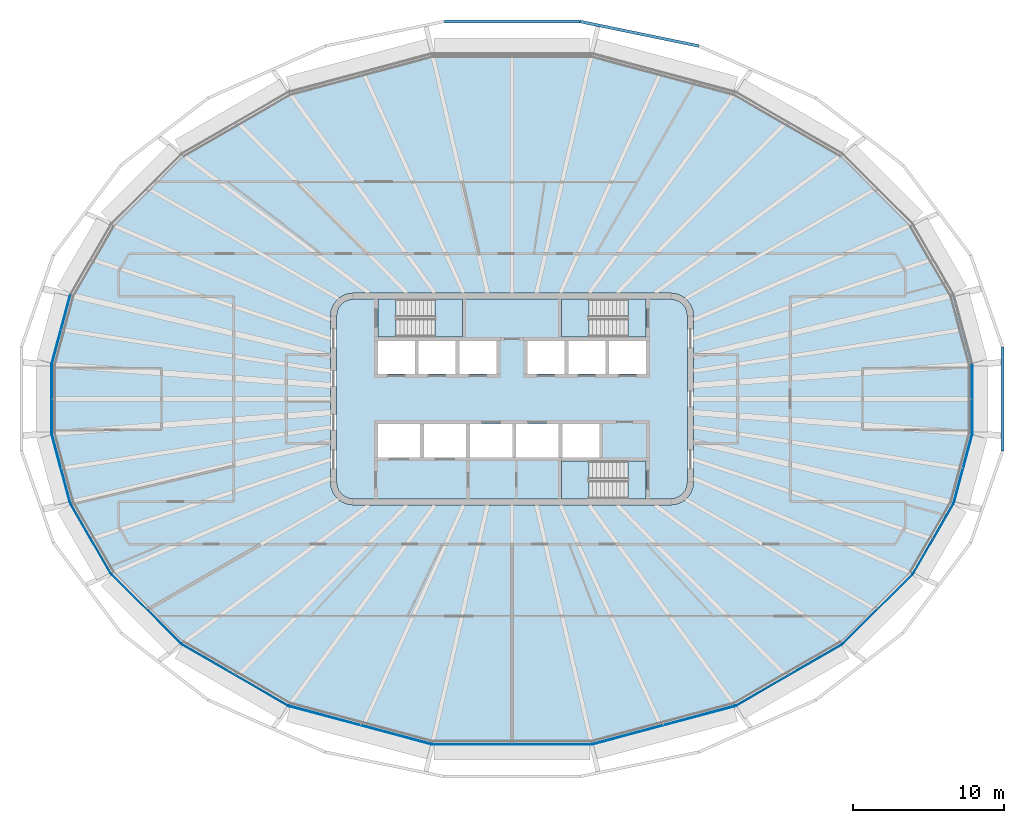
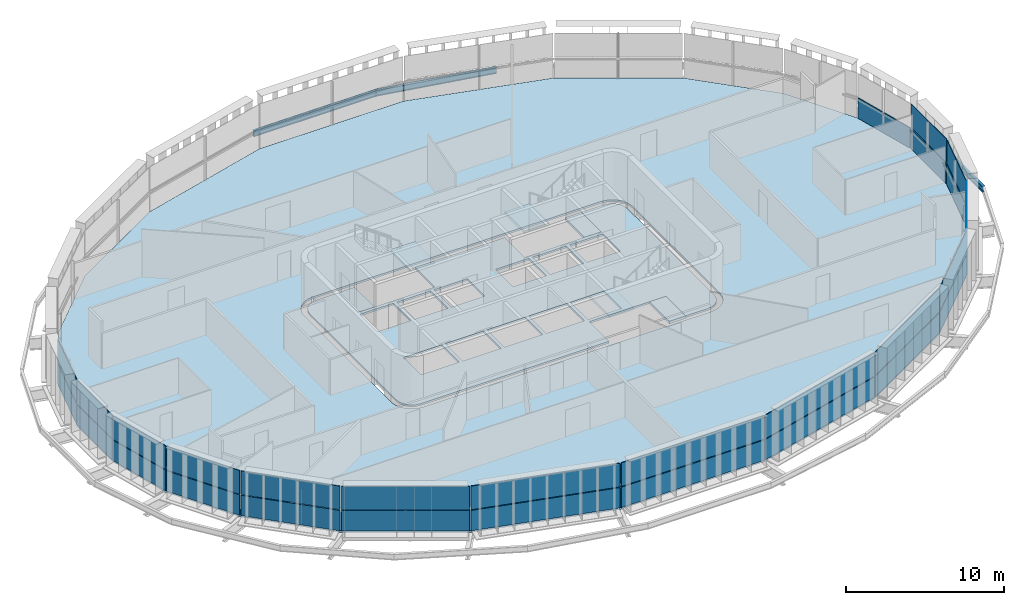
# One storey, part 8 of 19: 29 plates, 8 slabs, 3 beams, 18 elements without a shape of their own.
"""IFC4 building model written with IfcOpenShell, lengths in metres."""

import ifcopenshell
import ifcopenshell.guid

model = None  # the IFC model being written
_history = None  # IfcOwnerHistory: only IFC2X3 demands one
_inside = {}  # id of a spatial element -> (the spatial element, [elements in it])
_under = {}  # id of a project, library or spatial element -> (it, [spatial elements below it])
_declared = {}  # id of a project -> (the project, [libraries it declares])
_typed = {}  # id of a type object -> (the type object, [elements of that type])
_made_of = {}  # id of a material, layer set ... -> (it, [elements and type objects made of it])


def new_model(schema):
    """Start an empty IFC model of exactly this schema.

    Asked for "IFC4X3", IfcOpenShell would pick the latest addendum, in which some entities
    have other attributes; the version numbers below select the first issue.
    IFC2X3 requires an IfcOwnerHistory on every rooted entity: one is made here for all.
    """
    global model, _history
    if schema == "IFC4X3":
        model = ifcopenshell.file(schema_version=(4, 3, 0, 0))
    else:
        model = ifcopenshell.file(schema=schema)
    _inside.clear()
    _under.clear()
    _declared.clear()
    _typed.clear()
    _made_of.clear()
    _history = None
    if model.schema == "IFC2X3":
        org = make("IfcOrganization", Name="unknown")
        user = make(
            "IfcPersonAndOrganization",
            ThePerson=make("IfcPerson", FamilyName="unknown"),
            TheOrganization=org,
        )
        app = make(
            "IfcApplication",
            ApplicationDeveloper=org,
            Version="unknown",
            ApplicationFullName="unknown",
            ApplicationIdentifier="unknown",
        )
        _history = make(
            "IfcOwnerHistory",
            OwningUser=user,
            OwningApplication=app,
            ChangeAction="ADDED",
            CreationDate=0,
        )
    return model


def make(cls, **values):
    """One entity of the class cls with the attributes given. An attribute that is None is left unset."""
    return model.create_entity(
        cls, **{name: value for name, value in values.items() if value is not None}
    )


def rooted(cls, **values):
    """An entity with a GlobalId (a new one), such as an element, a storey or a relation."""
    return make(cls, GlobalId=ifcopenshell.guid.new(), OwnerHistory=_history, **values)


def si_unit(unit_type, name, prefix=None):
    """IfcSIUnit, for example si_unit("LENGTHUNIT", "METRE", prefix="MILLI")."""
    return make("IfcSIUnit", UnitType=unit_type, Prefix=prefix, Name=name)


def assignment(units):
    """IfcUnitAssignment: the units of a project."""
    return None if units is None else make("IfcUnitAssignment", Units=units)


def point(xyz):
    """IfcCartesianPoint."""
    return None if xyz is None else make("IfcCartesianPoint", Coordinates=xyz)


def direction(xyz):
    """IfcDirection."""
    return None if xyz is None else make("IfcDirection", DirectionRatios=xyz)


def frame(location, z_axis=None, x_axis=None):
    """IfcAxis2Placement3D, a coordinate frame: its origin and axes. An axis left out is left unset."""
    return make(
        "IfcAxis2Placement3D",
        Location=point(location),
        Axis=direction(z_axis),
        RefDirection=direction(x_axis),
    )


def frame_2d(location, x_axis=None):
    """IfcAxis2Placement2D, a coordinate frame in the plane: its origin and x axis."""
    return make(
        "IfcAxis2Placement2D", Location=point(location), RefDirection=direction(x_axis)
    )


def origin():
    """The frame at (0, 0, 0) with its axes left unset."""
    return frame((0.0, 0.0, 0.0))


def origin_2d():
    """The frame at (0, 0) in the plane with its x axis left unset."""
    return frame_2d((0.0, 0.0))


def place(relative_to, where):
    """IfcLocalPlacement: puts the frame where relative to a parent placement (None: the world)."""
    return make(
        "IfcLocalPlacement", PlacementRelTo=relative_to, RelativePlacement=where
    )


def context(
    kind, dimensions, precision=None, world=None, true_north=None, identifier=None
):
    """IfcGeometricRepresentationContext, for example the 3D "Model" context."""
    return make(
        "IfcGeometricRepresentationContext",
        ContextIdentifier=identifier,
        ContextType=kind,
        CoordinateSpaceDimension=dimensions,
        Precision=precision,
        WorldCoordinateSystem=world,
        TrueNorth=true_north,
    )


def subcontext(parent, identifier, kind, view, scale=None):
    """IfcGeometricRepresentationSubContext, for example "Body" below "Model"."""
    return make(
        "IfcGeometricRepresentationSubContext",
        ContextIdentifier=identifier,
        ContextType=kind,
        ParentContext=parent,
        TargetScale=scale,
        TargetView=view,
    )


def project(units=None, contexts=None):
    """IfcProject with its units and contexts."""
    return rooted(
        "IfcProject",
        Name="project",
        RepresentationContexts=contexts,
        UnitsInContext=assignment(units),
    )


def spatial(cls, under=None, at=None, **own):
    """A site, building, storey or space (cls), placed at a placement, below another one or the project."""
    s = rooted(cls, ObjectPlacement=at, **own)
    if under is not None:
        _under.setdefault(under.id(), (under, []))[1].append(s)
    return s


def polyline(points):
    """IfcPolyline through the points."""
    return make("IfcPolyline", Points=[point(p) for p in points])


def profile(cls, at=None, kind="AREA", **sizes):
    """A parametric profile (cls). Its sizes go by their IFC names, for example OverallWidth=200.0."""
    return make(cls, ProfileType=kind, Position=at, **sizes)


def i_section(**sizes):
    """IfcIShapeProfileDef."""
    return profile("IfcIShapeProfileDef", **sizes)


def outline(outer, holes=None, kind="AREA"):
    """IfcArbitraryClosedProfileDef: a profile drawn as a closed curve; with holes, ...WithVoids."""
    if holes is None:
        return make("IfcArbitraryClosedProfileDef", ProfileType=kind, OuterCurve=outer)
    return make(
        "IfcArbitraryProfileDefWithVoids",
        ProfileType=kind,
        OuterCurve=outer,
        InnerCurves=holes,
    )


def extrude(swept, where, along, depth):
    """IfcExtrudedAreaSolid: the profile swept, set in the frame where, extruded along a direction by depth."""
    return make(
        "IfcExtrudedAreaSolid",
        SweptArea=swept,
        Position=where,
        ExtrudedDirection=direction(along),
        Depth=depth,
    )


def shape(context_of_items, identifier, shape_type, items):
    """IfcShapeRepresentation: the items that make up one representation, for example the "Body"."""
    return make(
        "IfcShapeRepresentation",
        ContextOfItems=context_of_items,
        RepresentationIdentifier=identifier,
        RepresentationType=shape_type,
        Items=items,
    )


def material(Name=None, Category=None):
    """IfcMaterial."""
    return make("IfcMaterial", Name=Name, Category=Category)


def layer(
    of_material, thickness, ventilated=None, Name=None, Category=None, Priority=None
):
    """IfcMaterialLayer: one layer of a wall or slab, of a material (None: an air gap)."""
    return make(
        "IfcMaterialLayer",
        Material=of_material,
        LayerThickness=thickness,
        IsVentilated=ventilated,
        Name=Name,
        Category=Category,
        Priority=Priority,
    )


def layer_set(layers, Name=None):
    """IfcMaterialLayerSet."""
    return make("IfcMaterialLayerSet", MaterialLayers=layers, LayerSetName=Name)


def material_profile(
    of_material, cross_section, Name=None, Category=None, Priority=None
):
    """IfcMaterialProfile: a cross section and its material."""
    return make(
        "IfcMaterialProfile",
        Name=Name,
        Material=of_material,
        Profile=cross_section,
        Priority=Priority,
        Category=Category,
    )


def profile_set(profiles, Name=None, composite=None):
    """IfcMaterialProfileSet."""
    return make(
        "IfcMaterialProfileSet",
        Name=Name,
        MaterialProfiles=profiles,
        CompositeProfile=composite,
    )


def made_of(thing, what):
    """Note that an element or type object is made of a material, layer set ...; save() writes the relation."""
    if what is not None:
        _made_of.setdefault(what.id(), (what, []))[1].append(thing)
    return thing


def type_object(cls, material=None, **own):
    """A type object (cls), such as IfcWallType, which elements share."""
    return made_of(rooted(cls, **own), material)


def element(
    cls,
    number,
    at=None,
    inside=None,
    cuts=None,
    type_object=None,
    material=None,
    context=None,
    identifier="Body",
    shape_type=None,
    held_by="IfcProductDefinitionShape",
    body=None,
    shapes=None,
    **own,
):
    """One element of the class cls, such as IfcWall. Its Tag is "e" and its number.

    at: its placement. inside: the storey or other place that contains it. cuts: it is an
    opening in that element (IfcRelVoidsElement). A single representation is given by context,
    identifier, shape_type and body (its items); several are given by shapes. held_by: the class
    of the entity that holds the representations. save() writes the other relations.
    """
    e = rooted(cls, Tag="e%d" % number, ObjectPlacement=at, **own)
    if body is not None:
        shapes = [shape(context, identifier, shape_type, body)]
    if shapes is not None:
        e.Representation = make(held_by, Representations=shapes)
    if inside is not None:
        _inside.setdefault(inside.id(), (inside, []))[1].append(e)
    if cuts is not None:
        rooted(
            "IfcRelVoidsElement", RelatingBuildingElement=cuts, RelatedOpeningElement=e
        )
    if type_object is not None:
        _typed.setdefault(type_object.id(), (type_object, []))[1].append(e)
    return made_of(e, material)


def aggregate(whole, parts):
    """IfcRelAggregates: a whole, such as a stair, and the parts it consists of."""
    return rooted("IfcRelAggregates", RelatingObject=whole, RelatedObjects=parts)


def save(model, path):
    """Write the relations noted so far, then the file.

    IfcRelAggregates (storeys below a building ...), IfcRelContainedInSpatialStructure (elements
    in a storey), IfcRelDefinesByType, IfcRelAssociatesMaterial and IfcRelDeclares: one each for
    every whole, place, type object, material and project.
    """
    for whole, parts in _under.values():
        aggregate(whole, parts)
    for where, things in _inside.values():
        rooted(
            "IfcRelContainedInSpatialStructure",
            RelatedElements=things,
            RelatingStructure=where,
        )
    for kind, things in _typed.values():
        rooted("IfcRelDefinesByType", RelatedObjects=things, RelatingType=kind)
    for what, things in _made_of.values():
        rooted("IfcRelAssociatesMaterial", RelatedObjects=things, RelatingMaterial=what)
    for by, libraries in _declared.values():
        rooted("IfcRelDeclares", RelatingContext=by, RelatedDefinitions=libraries)
    model.write(path)


model = new_model("IFC4")

# Units and contexts
model_context = context("Model", 3, precision=1e-05, world=origin(), true_north=direction((0.0, 1.0)))
body_context = subcontext(model_context, "Body", "Model", "MODEL_VIEW")
ifc_project = project(units=[si_unit("LENGTHUNIT", "METRE"), si_unit("AREAUNIT", "SQUARE_METRE"), si_unit("VOLUMEUNIT", "CUBIC_METRE"), si_unit("PLANEANGLEUNIT", "RADIAN"), si_unit("MASSUNIT", "GRAM", prefix="KILO")], contexts=[model_context])

# Site, building, storey
site_placement = place(None, origin())
site = spatial("IfcSite", under=ifc_project, at=site_placement, CompositionType="ELEMENT")
building_placement = place(site_placement, origin())
building = spatial("IfcBuilding", under=site, at=building_placement, Name="Sahrelin Media Tower", CompositionType="ELEMENT")
storey_placement = place(building_placement, frame((0.0, 0.0, 241.60009765625)))
storey = spatial("IfcBuildingStorey", under=building, at=storey_placement, Name="L52", CompositionType="ELEMENT", Elevation=241.60009765625)

# Beams
ifc_material_1 = material(Name="Steel S355", Category="steel")
ifc_material_profile = material_profile(ifc_material_1, i_section(OverallWidth=0.1904296875, OverallDepth=0.45703125, WebThickness=0.009033203125, FlangeThickness=0.014404296875, FilletRadius=0.01025390625, at=origin_2d()), Name="UB 457x191x74")
ifc_profile_set = profile_set([ifc_material_profile], Name="Steel S355")
beam_type = type_object("IfcBeamType", Name="Tie chord TC5", PredefinedType="BEAM", material=ifc_profile_set)
beam_1_placement = place(storey_placement, frame((12.338134765625, 23.343017578125, -0.378662109375), z_axis=(-0.979384699, 0.202003988487, 0.0), x_axis=(-0.202003988487, -0.979384699, 0.0)))
element("IfcBeam", 1, at=beam_1_placement, inside=storey, type_object=beam_type, Name="Tie chord L52-05", PredefinedType="BEAM", context=body_context, shape_type="SweptSolid", body=[
    extrude(i_section(OverallWidth=0.1904296875, OverallDepth=0.45703125, WebThickness=0.009033203125, FlangeThickness=0.014404296875, FilletRadius=0.01025390625, at=origin_2d()), origin(), (0.0, 0.0, 1.0), 8.025146484375),
])
beam_2_placement = place(storey_placement, frame((4.478515625, 24.964111328125, -0.378662109375), z_axis=(-1.0, 0.0, 0.0), x_axis=(0.0, -1.0, 0.0)))
element("IfcBeam", 2, at=beam_2_placement, inside=storey, type_object=beam_type, Name="Tie chord L52-06", PredefinedType="BEAM", context=body_context, shape_type="SweptSolid", body=[
    extrude(i_section(OverallWidth=0.1904296875, OverallDepth=0.45703125, WebThickness=0.009033203125, FlangeThickness=0.014404296875, FilletRadius=0.01025390625, at=origin_2d()), origin(), (0.0, 0.0, 1.0), 8.95703125),
])
beam_3_placement = place(storey_placement, frame((32.43359375, -3.447021484375, -0.378662109375), z_axis=(0.0, 1.0, 0.0), x_axis=(-1.0, 0.0, 0.0)))
element("IfcBeam", 3, at=beam_3_placement, inside=storey, type_object=beam_type, Name="Tie chord L52-24", PredefinedType="BEAM", context=body_context, shape_type="SweptSolid", body=[
    extrude(i_section(OverallWidth=0.1904296875, OverallDepth=0.45703125, WebThickness=0.009033203125, FlangeThickness=0.014404296875, FilletRadius=0.01025390625, at=origin_2d()), origin(), (0.0, 0.0, 1.0), 6.89404296875),
])

# Slabs
ifc_material_2 = material(Name="Concrete C40/50", Category="concrete")
ifc_layer_1 = layer(ifc_material_2, 0.14990234375)
ifc_layer_set_1 = layer_set([ifc_layer_1], Name="Composite floor slab 150")
slab_type_1 = type_object("IfcSlabType", Name="Composite floor slab 150", PredefinedType="FLOOR", material=ifc_layer_set_1)
placement_1 = place(storey_placement, frame((0.0, 0.0, -0.150146484375)))
element("IfcSlab", 4, at=placement_1, inside=storey, type_object=slab_type_1, Name="Floor slab L52", PredefinedType="FLOOR", context=body_context, shape_type="SweptSolid", body=[
    extrude(outline(polyline([(30.429931640625, -2.27197265625), (30.429931640625, 2.27197265625), (29.2001953125, 6.8623046875), (26.495849609375, 11.5458984375), (21.848876953125, 16.19287109375), (14.75439453125, 20.288818359375), (5.270751953125, 22.830078125), (-5.270751953125, 22.830078125), (-14.75439453125, 20.288818359375), (-21.848876953125, 16.19287109375), (-26.495849609375, 11.5458984375), (-29.2001953125, 6.8623046875), (-30.429931640625, 2.27197265625), (-30.429931640625, -2.27197265625), (-29.2001953125, -6.8623046875), (-26.495849609375, -11.5458984375), (-21.848876953125, -16.19287109375), (-14.75439453125, -20.288818359375), (-5.270751953125, -22.830078125), (5.270751953125, -22.830078125), (14.75439453125, -20.288818359375), (21.848876953125, -16.19287109375), (26.495849609375, -11.5458984375), (29.2001953125, -6.8623046875), (30.429931640625, -2.27197265625)]), holes=[polyline([(11.948974609375, 5.88818359375), (12.0, 5.5), (12.0, -5.5), (11.948974609375, -5.88818359375), (11.799072265625, -6.25), (11.560791015625, -6.560791015625), (11.25, -6.799072265625), (10.88818359375, -6.948974609375), (10.5, -7.0), (-10.5, -7.0), (-10.88818359375, -6.948974609375), (-11.25, -6.799072265625), (-11.560791015625, -6.560791015625), (-11.799072265625, -6.25), (-11.948974609375, -5.88818359375), (-12.0, -5.5), (-12.0, 5.5), (-11.948974609375, 5.88818359375), (-11.799072265625, 6.25), (-11.560791015625, 6.560791015625), (-11.25, 6.799072265625), (-10.88818359375, 6.948974609375), (-10.5, 7.0), (10.5, 7.0), (10.88818359375, 6.948974609375), (11.25, 6.799072265625), (11.560791015625, 6.560791015625), (11.799072265625, 6.25), (11.948974609375, 5.88818359375)])]), origin(), (0.0, 0.0, 1.0), 0.150146484375),
])
ifc_layer_2 = layer(ifc_material_2, 0.14990234375)
ifc_layer_set_2 = layer_set([ifc_layer_2], Name="Core floor slab 150")
slab_type_2 = type_object("IfcSlabType", Name="Core floor slab 150", PredefinedType="FLOOR", material=ifc_layer_set_2)
element("IfcSlab", 5, at=placement_1, inside=storey, type_object=slab_type_2, Name="Core floor", PredefinedType="FLOOR", context=body_context, shape_type="SweptSolid", body=[
    extrude(outline(polyline([(-11.60009765625, -5.473876953125), (-11.55908203125, -5.78369140625), (-11.44970703125, -6.04833984375), (-11.275390625, -6.275390625), (-11.04833984375, -6.44970703125), (-10.78369140625, -6.55908203125), (-10.473876953125, -6.60009765625), (3.27490234375, -6.60009765625), (3.27490234375, -4.10009765625), (8.875, -4.10009765625), (8.875, -6.60009765625), (10.473876953125, -6.60009765625), (10.78369140625, -6.55908203125), (11.04833984375, -6.44970703125), (11.275390625, -6.275390625), (11.44970703125, -6.04833984375), (11.55908203125, -5.78369140625), (11.60009765625, -5.473876953125), (11.60009765625, 5.473876953125), (11.55908203125, 5.78369140625), (11.44970703125, 6.04833984375), (11.275390625, 6.275390625), (11.04833984375, 6.44970703125), (10.78369140625, 6.55908203125), (10.473876953125, 6.60009765625), (8.875, 6.60009765625), (8.875, 4.10009765625), (3.27490234375, 4.10009765625), (3.27490234375, 6.60009765625), (-3.27490234375, 6.60009765625), (-3.27490234375, 4.10009765625), (-8.875, 4.10009765625), (-8.875, 6.60009765625), (-10.473876953125, 6.60009765625), (-10.78369140625, 6.55908203125), (-11.04833984375, 6.44970703125), (-11.275390625, 6.275390625), (-11.44970703125, 6.04833984375), (-11.55908203125, 5.78369140625), (-11.60009765625, 5.473876953125), (-11.60009765625, -5.473876953125)]), holes=[polyline([(-8.875, 3.85009765625), (-8.875, 1.64990234375), (-6.425048828125, 1.64990234375), (-6.425048828125, 3.85009765625), (-8.875, 3.85009765625)]), polyline([(-3.72509765625, 3.85009765625), (-6.175048828125, 3.85009765625), (-6.175048828125, 1.64990234375), (-3.72509765625, 1.64990234375), (-3.72509765625, 3.85009765625)]), polyline([(-1.02490234375, 1.64990234375), (-1.02490234375, 3.85009765625), (-3.47509765625, 3.85009765625), (-3.47509765625, 1.64990234375), (-1.02490234375, 1.64990234375)]), polyline([(1.02490234375, 1.64990234375), (3.47509765625, 1.64990234375), (3.47509765625, 3.85009765625), (1.02490234375, 3.85009765625), (1.02490234375, 1.64990234375)]), polyline([(3.72509765625, 3.85009765625), (3.72509765625, 1.64990234375), (6.175048828125, 1.64990234375), (6.175048828125, 3.85009765625), (3.72509765625, 3.85009765625)]), polyline([(8.875, 3.85009765625), (6.425048828125, 3.85009765625), (6.425048828125, 1.64990234375), (8.875, 1.64990234375), (8.875, 3.85009765625)]), polyline([(-6.074951171875, -3.85009765625), (-6.074951171875, -1.64990234375), (-8.875, -1.64990234375), (-8.875, -3.85009765625), (-6.074951171875, -3.85009765625)]), polyline([(-5.824951171875, -3.85009765625), (-3.02490234375, -3.85009765625), (-3.02490234375, -1.64990234375), (-5.824951171875, -1.64990234375), (-5.824951171875, -3.85009765625)]), polyline([(-2.77490234375, -1.64990234375), (-2.77490234375, -3.85009765625), (0.02490234375, -3.85009765625), (0.02490234375, -1.64990234375), (-2.77490234375, -1.64990234375)]), polyline([(3.074951171875, -1.64990234375), (0.27490234375, -1.64990234375), (0.27490234375, -3.85009765625), (3.074951171875, -3.85009765625), (3.074951171875, -1.64990234375)]), polyline([(5.77490234375, -3.85009765625), (5.77490234375, -1.64990234375), (3.324951171875, -1.64990234375), (3.324951171875, -3.85009765625), (5.77490234375, -3.85009765625)])]), origin(), (0.0, 0.0, 1.0), 0.150146484375),
])

# Curtain wall, plate
ifc_material_3 = material(Name="Champagne anodised aluminium 6063-T6", Category="aluminium")
ifc_layer_3 = layer(ifc_material_3, 0.14990234375)
ifc_layer_set_3 = layer_set([ifc_layer_3], Name="Tower ribbon curtain wall")
curtain_wall_type = type_object("IfcCurtainWallType", Name="Tower ribbon curtain wall", PredefinedType="NOTDEFINED", material=ifc_layer_set_3)
curtain_wall_1_placement = place(storey_placement, frame((30.449951171875, 0.0, 0.0), z_axis=(0.0, 0.0, 1.0), x_axis=(1.0, 0.0, 0.0)))
curtain_wall_1 = element("IfcCurtainWall", 6, at=curtain_wall_1_placement, inside=storey, type_object=curtain_wall_type, Name="L52:CW:L52-00", PredefinedType="NOTDEFINED")
ifc_material_4 = material(Name="Clear low-iron glazing", Category="glass")
ifc_layer_4 = layer(ifc_material_4, 0.0439453125)
ifc_layer_set_4 = layer_set([ifc_layer_4], Name="Glazing panel 44 mm CW1B")
plate_type_1 = type_object("IfcPlateType", Name="Glazing panel 44 mm CW1B", PredefinedType="CURTAIN_PANEL", material=ifc_layer_set_4)
plate_1_placement = place(storey_placement, frame((30.469970703125, -2.224609375, 1.6298828125), z_axis=(1.0, 0.0, 0.0), x_axis=(0.0, 1.0, 0.0)))
plate_1 = element("IfcPlate", 7, at=plate_1_placement, type_object=plate_type_1, Name="L52:CWP2:L52-00", PredefinedType="CURTAIN_PANEL", context=body_context, shape_type="SweptSolid", body=[
    extrude(outline(polyline([(0.0, 0.0), (4.44921875, 0.0), (4.44921875, 1.818603515625), (0.0, 1.818603515625), (0.0, 0.0)])), origin(), (0.0, 0.0, -1.0), 0.0439453125),
])

curtain_wall_2_placement = place(storey_placement, frame((-29.834228515625, 4.572265625, 0.0), z_axis=(0.0, 0.0, 1.0), x_axis=(1.0, 0.0, 0.0)))
curtain_wall_2 = element("IfcCurtainWall", 8, at=curtain_wall_2_placement, inside=storey, type_object=curtain_wall_type, Name="L52:CW:L52-11", PredefinedType="NOTDEFINED")
plate_2_placement = place(storey_placement, frame((-29.2509765625, 6.826904296875, 1.6298828125), z_axis=(-0.965935885882, 0.258781499273, 0.0), x_axis=(-0.258781499273, -0.965935885882, 0.0)))
plate_2 = element("IfcPlate", 9, at=plate_2_placement, type_object=plate_type_1, Name="L52:CWP2:L52-11", PredefinedType="CURTAIN_PANEL", context=body_context, shape_type="SweptSolid", body=[
    extrude(outline(polyline([(0.0, 0.0), (4.65771484375, 0.0), (4.65771484375, 1.818603515625), (0.0, 1.818603515625), (0.0, 0.0)])), origin(), (0.0, 0.0, -1.0), 0.0439453125),
])

curtain_wall_3_placement = place(storey_placement, frame((-30.449951171875, 0.0, 0.0), z_axis=(0.0, 0.0, 1.0), x_axis=(1.0, 0.0, 0.0)))
curtain_wall_3 = element("IfcCurtainWall", 10, at=curtain_wall_3_placement, inside=storey, type_object=curtain_wall_type, Name="L52:CW:L52-12", PredefinedType="NOTDEFINED")
plate_3_placement = place(storey_placement, frame((-30.469970703125, 2.224609375, 1.6298828125), z_axis=(-1.0, 0.0, 0.0), x_axis=(0.0, -1.0, 0.0)))
plate_3 = element("IfcPlate", 11, at=plate_3_placement, type_object=plate_type_1, Name="L52:CWP2:L52-12", PredefinedType="CURTAIN_PANEL", context=body_context, shape_type="SweptSolid", body=[
    extrude(outline(polyline([(0.0, 0.0), (4.44921875, 0.0), (4.44921875, 1.818603515625), (0.0, 1.818603515625), (0.0, 0.0)])), origin(), (0.0, 0.0, -1.0), 0.0439453125),
])

curtain_wall_4_placement = place(storey_placement, frame((-29.83447265625, -4.572265625, 0.0), z_axis=(0.0, 0.0, 1.0), x_axis=(1.0, 0.0, 0.0)))
curtain_wall_4 = element("IfcCurtainWall", 12, at=curtain_wall_4_placement, inside=storey, type_object=curtain_wall_type, Name="L52:CW:L52-13", PredefinedType="NOTDEFINED")
plate_4_placement = place(storey_placement, frame((-30.456298828125, -2.327880859375, 1.6298828125), z_axis=(-0.965935885882, -0.258781499273, 0.0), x_axis=(0.258781499273, -0.965935885882, 0.0)))
plate_4 = element("IfcPlate", 13, at=plate_4_placement, type_object=plate_type_1, Name="L52:CWP2:L52-13", PredefinedType="CURTAIN_PANEL", context=body_context, shape_type="SweptSolid", body=[
    extrude(outline(polyline([(0.0, 0.0), (4.65771484375, 0.0), (4.65771484375, 1.818603515625), (0.0, 1.818603515625), (0.0, 0.0)])), origin(), (0.0, 0.0, -1.0), 0.0439453125),
])

curtain_wall_5_placement = place(storey_placement, frame((-27.865234375, -9.214111328125, 0.0), z_axis=(0.0, 0.0, 1.0), x_axis=(1.0, 0.0, 0.0)))
curtain_wall_5 = element("IfcCurtainWall", 14, at=curtain_wall_5_placement, inside=storey, type_object=curtain_wall_type, Name="L52:CW:L52-14", PredefinedType="NOTDEFINED")
plate_5_placement = place(storey_placement, frame((-29.2109375, -6.923095703125, 1.6298828125), z_axis=(-0.866034858292, -0.499983623955, 0.0), x_axis=(0.499983623955, -0.866034858292, 0.0)))
plate_5 = element("IfcPlate", 15, at=plate_5_placement, type_object=plate_type_1, Name="L52:CWP2:L52-14", PredefinedType="CURTAIN_PANEL", context=body_context, shape_type="SweptSolid", body=[
    extrude(outline(polyline([(0.0, 0.0), (5.313720703125, 0.0), (5.313720703125, 1.818603515625), (0.0, 1.818603515625), (0.0, 0.0)])), origin(), (0.0, 0.0, -1.0), 0.0439453125),
])

curtain_wall_6_placement = place(storey_placement, frame((-24.1865234375, -13.883544921875, 0.0), z_axis=(0.0, 0.0, 1.0), x_axis=(1.0, 0.0, 0.0)))
curtain_wall_6 = element("IfcCurtainWall", 16, at=curtain_wall_6_placement, inside=storey, type_object=curtain_wall_type, Name="L52:CW:L52-15", PredefinedType="NOTDEFINED")
plate_6_placement = place(storey_placement, frame((-26.49072265625, -11.607666015625, 1.6298828125), z_axis=(-0.707087934304, -0.707125627567, 0.0), x_axis=(0.707125627567, -0.707087934304, 0.0)))
plate_6 = element("IfcPlate", 17, at=plate_6_placement, type_object=plate_type_1, Name="L52:CWP2:L52-15", PredefinedType="CURTAIN_PANEL", context=body_context, shape_type="SweptSolid", body=[
    extrude(outline(polyline([(0.0, 0.0), (6.47705078125, 0.0), (6.47705078125, 1.818603515625), (0.0, 1.818603515625), (0.0, 0.0)])), origin(), (0.0, 0.0, -1.0), 0.0439453125),
])

curtain_wall_7_placement = place(storey_placement, frame((-18.3115234375, -18.25830078125, 0.0), z_axis=(0.0, 0.0, 1.0), x_axis=(1.0, 0.0, 0.0)))
curtain_wall_7 = element("IfcCurtainWall", 18, at=curtain_wall_7_placement, inside=storey, type_object=curtain_wall_type, Name="L52:CW:L52-16", PredefinedType="NOTDEFINED")
plate_7_placement = place(storey_placement, frame((-21.827880859375, -16.251220703125, 1.6298828125), z_axis=(-0.499981703231, -0.866035967171, 0.0), x_axis=(0.866035967171, -0.499981703231, 0.0)))
plate_7 = element("IfcPlate", 19, at=plate_7_placement, type_object=plate_type_1, Name="L52:CWP2:L52-16", PredefinedType="CURTAIN_PANEL", context=body_context, shape_type="SweptSolid", body=[
    extrude(outline(polyline([(0.0, 0.0), (8.097412109375, 0.0), (8.097412109375, 1.818603515625), (0.0, 1.818603515625), (0.0, 0.0)])), origin(), (0.0, 0.0, -1.0), 0.0439453125),
])

curtain_wall_8_placement = place(storey_placement, frame((-10.017578125, -21.57861328125, 0.0), z_axis=(0.0, 0.0, 1.0), x_axis=(1.0, 0.0, 0.0)))
curtain_wall_8 = element("IfcCurtainWall", 20, at=curtain_wall_8_placement, inside=storey, type_object=curtain_wall_type, Name="L52:CW:L52-17", PredefinedType="NOTDEFINED")
plate_8_placement = place(storey_placement, frame((-14.718994140625, -20.33984375, 1.6298828125), z_axis=(-0.25881891783, -0.965925860392, 0.0), x_axis=(0.965925860392, -0.25881891783, 0.0)))
plate_8 = element("IfcPlate", 21, at=plate_8_placement, type_object=plate_type_1, Name="L52:CWP2:L52-17", PredefinedType="CURTAIN_PANEL", context=body_context, shape_type="SweptSolid", body=[
    extrude(outline(polyline([(0.0, 0.0), (9.723388671875, 0.0), (9.723388671875, 1.818603515625), (0.0, 1.818603515625), (0.0, 0.0)])), origin(), (0.0, 0.0, -1.0), 0.0439453125),
])

curtain_wall_9_placement = place(storey_placement, frame((0.0, -22.85009765625, 0.0), z_axis=(0.0, 0.0, 1.0), x_axis=(1.0, 0.0, 0.0)))
curtain_wall_9 = element("IfcCurtainWall", 22, at=curtain_wall_9_placement, inside=storey, type_object=curtain_wall_type, Name="L52:CW:L52-18", PredefinedType="NOTDEFINED")
plate_9_placement = place(storey_placement, frame((-5.223388671875, -22.8701171875, 1.6298828125), z_axis=(0.0, -1.0, 0.0), x_axis=(1.0, 0.0, 0.0)))
plate_9 = element("IfcPlate", 23, at=plate_9_placement, type_object=plate_type_1, Name="L52:CWP2:L52-18", PredefinedType="CURTAIN_PANEL", context=body_context, shape_type="SweptSolid", body=[
    extrude(outline(polyline([(0.0, 0.0), (10.44677734375, 0.0), (10.44677734375, 1.818603515625), (0.0, 1.818603515625), (0.0, 0.0)])), origin(), (0.0, 0.0, -1.0), 0.0439453125),
])

curtain_wall_10_placement = place(storey_placement, frame((10.017578125, -21.578857421875, 0.0), z_axis=(0.0, 0.0, 1.0), x_axis=(1.0, 0.0, 0.0)))
curtain_wall_10 = element("IfcCurtainWall", 24, at=curtain_wall_10_placement, inside=storey, type_object=curtain_wall_type, Name="L52:CW:L52-19", PredefinedType="NOTDEFINED")
plate_10_placement = place(storey_placement, frame((5.326904296875, -22.8564453125, 1.6298828125), z_axis=(0.25881891783, -0.965925860392, 0.0), x_axis=(0.965925860392, 0.25881891783, 0.0)))
plate_10 = element("IfcPlate", 25, at=plate_10_placement, type_object=plate_type_1, Name="L52:CWP2:L52-19", PredefinedType="CURTAIN_PANEL", context=body_context, shape_type="SweptSolid", body=[
    extrude(outline(polyline([(0.0, 0.0), (9.723388671875, 0.0), (9.723388671875, 1.818603515625), (0.0, 1.818603515625), (0.0, 0.0)])), origin(), (0.0, 0.0, -1.0), 0.0439453125),
])

curtain_wall_11_placement = place(storey_placement, frame((18.3115234375, -18.258056640625, 0.0), z_axis=(0.0, 0.0, 1.0), x_axis=(1.0, 0.0, 0.0)))
curtain_wall_11 = element("IfcCurtainWall", 26, at=curtain_wall_11_placement, inside=storey, type_object=curtain_wall_type, Name="L52:CW:L52-20", PredefinedType="NOTDEFINED")
plate_11_placement = place(storey_placement, frame((14.815185546875, -20.2998046875, 1.6298828125), z_axis=(0.499981703231, -0.866035967171, 0.0), x_axis=(0.866035967171, 0.499981703231, 0.0)))
plate_11 = element("IfcPlate", 27, at=plate_11_placement, type_object=plate_type_1, Name="L52:CWP2:L52-20", PredefinedType="CURTAIN_PANEL", context=body_context, shape_type="SweptSolid", body=[
    extrude(outline(polyline([(0.0, 0.0), (8.097412109375, 0.0), (8.097412109375, 1.818603515625), (0.0, 1.818603515625), (0.0, 0.0)])), origin(), (0.0, 0.0, -1.0), 0.0439453125),
])

curtain_wall_12_placement = place(storey_placement, frame((24.1865234375, -13.88330078125, 0.0), z_axis=(0.0, 0.0, 1.0), x_axis=(1.0, 0.0, 0.0)))
curtain_wall_12 = element("IfcCurtainWall", 28, at=curtain_wall_12_placement, inside=storey, type_object=curtain_wall_type, Name="L52:CW:L52-21", PredefinedType="NOTDEFINED")
plate_12_placement = place(storey_placement, frame((21.91064453125, -16.1875, 1.6298828125), z_axis=(0.707087934304, -0.707125627567, 0.0), x_axis=(0.707125627567, 0.707087934304, 0.0)))
plate_12 = element("IfcPlate", 29, at=plate_12_placement, type_object=plate_type_1, Name="L52:CWP2:L52-21", PredefinedType="CURTAIN_PANEL", context=body_context, shape_type="SweptSolid", body=[
    extrude(outline(polyline([(0.0, 0.0), (6.47705078125, 0.0), (6.47705078125, 1.818603515625), (0.0, 1.818603515625), (0.0, 0.0)])), origin(), (0.0, 0.0, -1.0), 0.0439453125),
])

curtain_wall_13_placement = place(storey_placement, frame((27.865234375, -9.214111328125, 0.0), z_axis=(0.0, 0.0, 1.0), x_axis=(1.0, 0.0, 0.0)))
curtain_wall_13 = element("IfcCurtainWall", 30, at=curtain_wall_13_placement, inside=storey, type_object=curtain_wall_type, Name="L52:CW:L52-22", PredefinedType="NOTDEFINED")
plate_13_placement = place(storey_placement, frame((26.55419921875, -11.52490234375, 1.6298828125), z_axis=(0.866034858292, -0.499983623955, 0.0), x_axis=(0.499983623955, 0.866034858292, 0.0)))
plate_13 = element("IfcPlate", 31, at=plate_13_placement, type_object=plate_type_1, Name="L52:CWP2:L52-22", PredefinedType="CURTAIN_PANEL", context=body_context, shape_type="SweptSolid", body=[
    extrude(outline(polyline([(0.0, 0.0), (5.313720703125, 0.0), (5.313720703125, 1.818603515625), (0.0, 1.818603515625), (0.0, 0.0)])), origin(), (0.0, 0.0, -1.0), 0.0439453125),
])

curtain_wall_14_placement = place(storey_placement, frame((29.834228515625, -4.572265625, 0.0), z_axis=(0.0, 0.0, 1.0), x_axis=(1.0, 0.0, 0.0)))
curtain_wall_14 = element("IfcCurtainWall", 32, at=curtain_wall_14_placement, inside=storey, type_object=curtain_wall_type, Name="L52:CW:L52-23", PredefinedType="NOTDEFINED")
plate_14_placement = place(storey_placement, frame((29.2509765625, -6.826904296875, 1.6298828125), z_axis=(0.965935885882, -0.258781499273, 0.0), x_axis=(0.258781499273, 0.965935885882, 0.0)))
plate_14 = element("IfcPlate", 33, at=plate_14_placement, type_object=plate_type_1, Name="L52:CWP2:L52-23", PredefinedType="CURTAIN_PANEL", context=body_context, shape_type="SweptSolid", body=[
    extrude(outline(polyline([(0.0, 0.0), (4.65771484375, 0.0), (4.65771484375, 1.818603515625), (0.0, 1.818603515625), (0.0, 0.0)])), origin(), (0.0, 0.0, -1.0), 0.0439453125),
])

# Plate
ifc_material_5 = material(Name="Insulated spandrel panel")
ifc_layer_5 = layer(ifc_material_5, 0.06005859375)
ifc_layer_set_5 = layer_set([ifc_layer_5], Name="Spandrel panel 60 mm CW1")
plate_type_2 = type_object("IfcPlateType", Name="Spandrel panel 60 mm CW1", PredefinedType="SHEET", material=ifc_layer_set_5)
plate_15_placement = place(storey_placement, frame((30.469970703125, -2.224609375, 0.0), z_axis=(1.0, 0.0, 0.0), x_axis=(0.0, 1.0, 0.0)))
plate_15 = element("IfcPlate", 34, at=plate_15_placement, type_object=plate_type_2, Name="L52:CWP1:L52-00", PredefinedType="SHEET", context=body_context, shape_type="SweptSolid", body=[
    extrude(outline(polyline([(0.0, 0.0), (4.44921875, 0.0), (4.44921875, 1.56982421875), (0.0, 1.56982421875), (0.0, 0.0)])), origin(), (0.0, 0.0, -1.0), 0.06005859375),
])

aggregate(curtain_wall_1, [plate_15, plate_1])

# Curtain wall, plate
curtain_wall_15_placement = place(storey_placement, frame((29.83447265625, 4.572265625, 0.0), z_axis=(0.0, 0.0, 1.0), x_axis=(1.0, 0.0, 0.0)))
curtain_wall_15 = element("IfcCurtainWall", 35, at=curtain_wall_15_placement, inside=storey, type_object=curtain_wall_type, Name="L52:CW:L52-01", PredefinedType="NOTDEFINED")
plate_16_placement = place(storey_placement, frame((30.456298828125, 2.327880859375, 0.0), z_axis=(0.965935885882, 0.258781499273, 0.0), x_axis=(-0.258781499273, 0.965935885882, 0.0)))
plate_16 = element("IfcPlate", 36, at=plate_16_placement, type_object=plate_type_2, Name="L52:CWP1:L52-01", PredefinedType="SHEET", context=body_context, shape_type="SweptSolid", body=[
    extrude(outline(polyline([(0.0, 0.0), (4.65771484375, 0.0), (4.65771484375, 1.56982421875), (0.0, 1.56982421875), (0.0, 0.0)])), origin(), (0.0, 0.0, -1.0), 0.06005859375),
])
aggregate(curtain_wall_15, [plate_16])

# Plate
plate_17_placement = place(storey_placement, frame((-29.2509765625, 6.826904296875, 0.0), z_axis=(-0.965935885882, 0.258781499273, 0.0), x_axis=(-0.258781499273, -0.965935885882, 0.0)))
plate_17 = element("IfcPlate", 37, at=plate_17_placement, type_object=plate_type_2, Name="L52:CWP1:L52-11", PredefinedType="SHEET", context=body_context, shape_type="SweptSolid", body=[
    extrude(outline(polyline([(0.0, 0.0), (4.65771484375, 0.0), (4.65771484375, 1.56982421875), (0.0, 1.56982421875), (0.0, 0.0)])), origin(), (0.0, 0.0, -1.0), 0.06005859375),
])

aggregate(curtain_wall_2, [plate_17, plate_2])

plate_18_placement = place(storey_placement, frame((-30.469970703125, 2.224609375, 0.0), z_axis=(-1.0, 0.0, 0.0), x_axis=(0.0, -1.0, 0.0)))
plate_18 = element("IfcPlate", 38, at=plate_18_placement, type_object=plate_type_2, Name="L52:CWP1:L52-12", PredefinedType="SHEET", context=body_context, shape_type="SweptSolid", body=[
    extrude(outline(polyline([(0.0, 0.0), (4.44921875, 0.0), (4.44921875, 1.56982421875), (0.0, 1.56982421875), (0.0, 0.0)])), origin(), (0.0, 0.0, -1.0), 0.06005859375),
])

aggregate(curtain_wall_3, [plate_18, plate_3])

plate_19_placement = place(storey_placement, frame((-30.456298828125, -2.327880859375, 0.0), z_axis=(-0.965935885882, -0.258781499273, 0.0), x_axis=(0.258781499273, -0.965935885882, 0.0)))
plate_19 = element("IfcPlate", 39, at=plate_19_placement, type_object=plate_type_2, Name="L52:CWP1:L52-13", PredefinedType="SHEET", context=body_context, shape_type="SweptSolid", body=[
    extrude(outline(polyline([(0.0, 0.0), (4.65771484375, 0.0), (4.65771484375, 1.56982421875), (0.0, 1.56982421875), (0.0, 0.0)])), origin(), (0.0, 0.0, -1.0), 0.06005859375),
])

aggregate(curtain_wall_4, [plate_19, plate_4])

plate_20_placement = place(storey_placement, frame((-29.2109375, -6.923095703125, 0.0), z_axis=(-0.866034858292, -0.499983623955, 0.0), x_axis=(0.499983623955, -0.866034858292, 0.0)))
plate_20 = element("IfcPlate", 40, at=plate_20_placement, type_object=plate_type_2, Name="L52:CWP1:L52-14", PredefinedType="SHEET", context=body_context, shape_type="SweptSolid", body=[
    extrude(outline(polyline([(0.0, 0.0), (5.313720703125, 0.0), (5.313720703125, 1.56982421875), (0.0, 1.56982421875), (0.0, 0.0)])), origin(), (0.0, 0.0, -1.0), 0.06005859375),
])

aggregate(curtain_wall_5, [plate_20, plate_5])

plate_21_placement = place(storey_placement, frame((-26.49072265625, -11.607666015625, 0.0), z_axis=(-0.707087934304, -0.707125627567, 0.0), x_axis=(0.707125627567, -0.707087934304, 0.0)))
plate_21 = element("IfcPlate", 41, at=plate_21_placement, type_object=plate_type_2, Name="L52:CWP1:L52-15", PredefinedType="SHEET", context=body_context, shape_type="SweptSolid", body=[
    extrude(outline(polyline([(0.0, 0.0), (6.47705078125, 0.0), (6.47705078125, 1.56982421875), (0.0, 1.56982421875), (0.0, 0.0)])), origin(), (0.0, 0.0, -1.0), 0.06005859375),
])

aggregate(curtain_wall_6, [plate_21, plate_6])

plate_22_placement = place(storey_placement, frame((-21.827880859375, -16.251220703125, 0.0), z_axis=(-0.499981703231, -0.866035967171, 0.0), x_axis=(0.866035967171, -0.499981703231, 0.0)))
plate_22 = element("IfcPlate", 42, at=plate_22_placement, type_object=plate_type_2, Name="L52:CWP1:L52-16", PredefinedType="SHEET", context=body_context, shape_type="SweptSolid", body=[
    extrude(outline(polyline([(0.0, 0.0), (8.097412109375, 0.0), (8.097412109375, 1.56982421875), (0.0, 1.56982421875), (0.0, 0.0)])), origin(), (0.0, 0.0, -1.0), 0.06005859375),
])

aggregate(curtain_wall_7, [plate_22, plate_7])

plate_23_placement = place(storey_placement, frame((-14.718994140625, -20.33984375, 0.0), z_axis=(-0.25881891783, -0.965925860392, 0.0), x_axis=(0.965925860392, -0.25881891783, 0.0)))
plate_23 = element("IfcPlate", 43, at=plate_23_placement, type_object=plate_type_2, Name="L52:CWP1:L52-17", PredefinedType="SHEET", context=body_context, shape_type="SweptSolid", body=[
    extrude(outline(polyline([(0.0, 0.0), (9.723388671875, 0.0), (9.723388671875, 1.56982421875), (0.0, 1.56982421875), (0.0, 0.0)])), origin(), (0.0, 0.0, -1.0), 0.06005859375),
])

aggregate(curtain_wall_8, [plate_23, plate_8])

plate_24_placement = place(storey_placement, frame((-5.223388671875, -22.8701171875, 0.0), z_axis=(0.0, -1.0, 0.0), x_axis=(1.0, 0.0, 0.0)))
plate_24 = element("IfcPlate", 44, at=plate_24_placement, type_object=plate_type_2, Name="L52:CWP1:L52-18", PredefinedType="SHEET", context=body_context, shape_type="SweptSolid", body=[
    extrude(outline(polyline([(0.0, 0.0), (10.44677734375, 0.0), (10.44677734375, 1.56982421875), (0.0, 1.56982421875), (0.0, 0.0)])), origin(), (0.0, 0.0, -1.0), 0.06005859375),
])

aggregate(curtain_wall_9, [plate_24, plate_9])

plate_25_placement = place(storey_placement, frame((5.326904296875, -22.8564453125, 0.0), z_axis=(0.25881891783, -0.965925860392, 0.0), x_axis=(0.965925860392, 0.25881891783, 0.0)))
plate_25 = element("IfcPlate", 45, at=plate_25_placement, type_object=plate_type_2, Name="L52:CWP1:L52-19", PredefinedType="SHEET", context=body_context, shape_type="SweptSolid", body=[
    extrude(outline(polyline([(0.0, 0.0), (9.723388671875, 0.0), (9.723388671875, 1.56982421875), (0.0, 1.56982421875), (0.0, 0.0)])), origin(), (0.0, 0.0, -1.0), 0.06005859375),
])

aggregate(curtain_wall_10, [plate_25, plate_10])

plate_26_placement = place(storey_placement, frame((14.815185546875, -20.2998046875, 0.0), z_axis=(0.499981703231, -0.866035967171, 0.0), x_axis=(0.866035967171, 0.499981703231, 0.0)))
plate_26 = element("IfcPlate", 46, at=plate_26_placement, type_object=plate_type_2, Name="L52:CWP1:L52-20", PredefinedType="SHEET", context=body_context, shape_type="SweptSolid", body=[
    extrude(outline(polyline([(0.0, 0.0), (8.097412109375, 0.0), (8.097412109375, 1.56982421875), (0.0, 1.56982421875), (0.0, 0.0)])), origin(), (0.0, 0.0, -1.0), 0.06005859375),
])

aggregate(curtain_wall_11, [plate_26, plate_11])

plate_27_placement = place(storey_placement, frame((21.91064453125, -16.1875, 0.0), z_axis=(0.707087934304, -0.707125627567, 0.0), x_axis=(0.707125627567, 0.707087934304, 0.0)))
plate_27 = element("IfcPlate", 47, at=plate_27_placement, type_object=plate_type_2, Name="L52:CWP1:L52-21", PredefinedType="SHEET", context=body_context, shape_type="SweptSolid", body=[
    extrude(outline(polyline([(0.0, 0.0), (6.47705078125, 0.0), (6.47705078125, 1.56982421875), (0.0, 1.56982421875), (0.0, 0.0)])), origin(), (0.0, 0.0, -1.0), 0.06005859375),
])

aggregate(curtain_wall_12, [plate_27, plate_12])

plate_28_placement = place(storey_placement, frame((26.55419921875, -11.52490234375, 0.0), z_axis=(0.866034858292, -0.499983623955, 0.0), x_axis=(0.499983623955, 0.866034858292, 0.0)))
plate_28 = element("IfcPlate", 48, at=plate_28_placement, type_object=plate_type_2, Name="L52:CWP1:L52-22", PredefinedType="SHEET", context=body_context, shape_type="SweptSolid", body=[
    extrude(outline(polyline([(0.0, 0.0), (5.313720703125, 0.0), (5.313720703125, 1.56982421875), (0.0, 1.56982421875), (0.0, 0.0)])), origin(), (0.0, 0.0, -1.0), 0.06005859375),
])

aggregate(curtain_wall_13, [plate_28, plate_13])

plate_29_placement = place(storey_placement, frame((29.2509765625, -6.826904296875, 0.0), z_axis=(0.965935885882, -0.258781499273, 0.0), x_axis=(0.258781499273, 0.965935885882, 0.0)))
plate_29 = element("IfcPlate", 49, at=plate_29_placement, type_object=plate_type_2, Name="L52:CWP1:L52-23", PredefinedType="SHEET", context=body_context, shape_type="SweptSolid", body=[
    extrude(outline(polyline([(0.0, 0.0), (4.65771484375, 0.0), (4.65771484375, 1.56982421875), (0.0, 1.56982421875), (0.0, 0.0)])), origin(), (0.0, 0.0, -1.0), 0.06005859375),
])

aggregate(curtain_wall_14, [plate_29, plate_14])

# Stair, slabs
stair_type = type_object("IfcStairType", Name="Exit stair 1200", PredefinedType="HALF_TURN_STAIR", material=ifc_material_2)
placement_2 = place(storey_placement, origin())
stair_1 = element("IfcStair", 50, at=placement_2, inside=storey, type_object=stair_type, Name="L52 Exit stair ST1", PredefinedType="HALF_TURN_STAIR")
ifc_layer_6 = layer(ifc_material_2, 0.199951171875)
ifc_layer_set_6 = layer_set([ifc_layer_6], Name="Stair landing 200")
slab_type_3 = type_object("IfcSlabType", Name="Stair landing 200", PredefinedType="LANDING", material=ifc_layer_set_6)
placement_3 = place(storey_placement, frame((0.0, 0.0, 1.7998046875)))
slab_3 = element("IfcSlab", 51, at=placement_3, type_object=slab_type_3, Name="ST1 landing 1", PredefinedType="LANDING", context=body_context, shape_type="SweptSolid", body=[
    extrude(outline(polyline([(-5.074951171875, 4.10009765625), (-3.27490234375, 4.10009765625), (-3.27490234375, 6.60009765625), (-5.074951171875, 6.60009765625), (-5.074951171875, 4.10009765625)])), origin(), (0.0, 0.0, 1.0), 0.2001953125),
])
placement_4 = place(storey_placement, frame((0.0, 0.0, -0.2001953125)))
slab_4 = element("IfcSlab", 52, at=placement_4, type_object=slab_type_3, Name="ST1 landing 2", PredefinedType="LANDING", context=body_context, shape_type="SweptSolid", body=[
    extrude(outline(polyline([(-8.875, 4.10009765625), (-7.675048828125, 4.10009765625), (-7.675048828125, 6.60009765625), (-8.875, 6.60009765625), (-8.875, 4.10009765625)])), origin(), (0.0, 0.0, 1.0), 0.2001953125),
])
aggregate(stair_1, [slab_3, slab_4])

stair_2 = element("IfcStair", 53, at=placement_2, inside=storey, type_object=stair_type, Name="L52 Exit stair ST3", PredefinedType="HALF_TURN_STAIR")
slab_5 = element("IfcSlab", 54, at=placement_3, type_object=slab_type_3, Name="ST3 landing 1", PredefinedType="LANDING", context=body_context, shape_type="SweptSolid", body=[
    extrude(outline(polyline([(5.074951171875, 6.60009765625), (3.27490234375, 6.60009765625), (3.27490234375, 4.10009765625), (5.074951171875, 4.10009765625), (5.074951171875, 6.60009765625)])), origin(), (0.0, 0.0, 1.0), 0.2001953125),
])
slab_6 = element("IfcSlab", 55, at=placement_4, type_object=slab_type_3, Name="ST3 landing 2", PredefinedType="LANDING", context=body_context, shape_type="SweptSolid", body=[
    extrude(outline(polyline([(8.875, 6.60009765625), (7.675048828125, 6.60009765625), (7.675048828125, 4.10009765625), (8.875, 4.10009765625), (8.875, 6.60009765625)])), origin(), (0.0, 0.0, 1.0), 0.2001953125),
])
aggregate(stair_2, [slab_5, slab_6])

stair_3 = element("IfcStair", 56, at=placement_2, inside=storey, type_object=stair_type, Name="L52 Exit stair ST2", PredefinedType="HALF_TURN_STAIR")
slab_7 = element("IfcSlab", 57, at=placement_3, type_object=slab_type_3, Name="ST2 landing 1", PredefinedType="LANDING", context=body_context, shape_type="SweptSolid", body=[
    extrude(outline(polyline([(5.074951171875, -4.10009765625), (3.27490234375, -4.10009765625), (3.27490234375, -6.60009765625), (5.074951171875, -6.60009765625), (5.074951171875, -4.10009765625)])), origin(), (0.0, 0.0, 1.0), 0.2001953125),
])
slab_8 = element("IfcSlab", 58, at=placement_4, type_object=slab_type_3, Name="ST2 landing 2", PredefinedType="LANDING", context=body_context, shape_type="SweptSolid", body=[
    extrude(outline(polyline([(8.875, -4.10009765625), (7.675048828125, -4.10009765625), (7.675048828125, -6.60009765625), (8.875, -6.60009765625), (8.875, -4.10009765625)])), origin(), (0.0, 0.0, 1.0), 0.2001953125),
])
aggregate(stair_3, [slab_7, slab_8])

save(model, "model.ifc")
